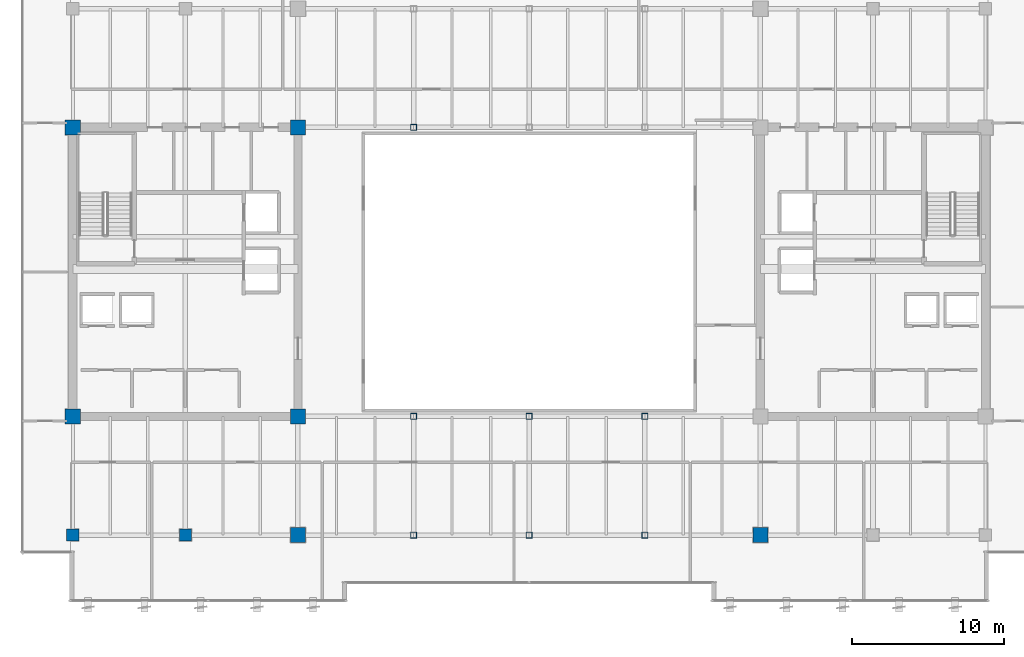
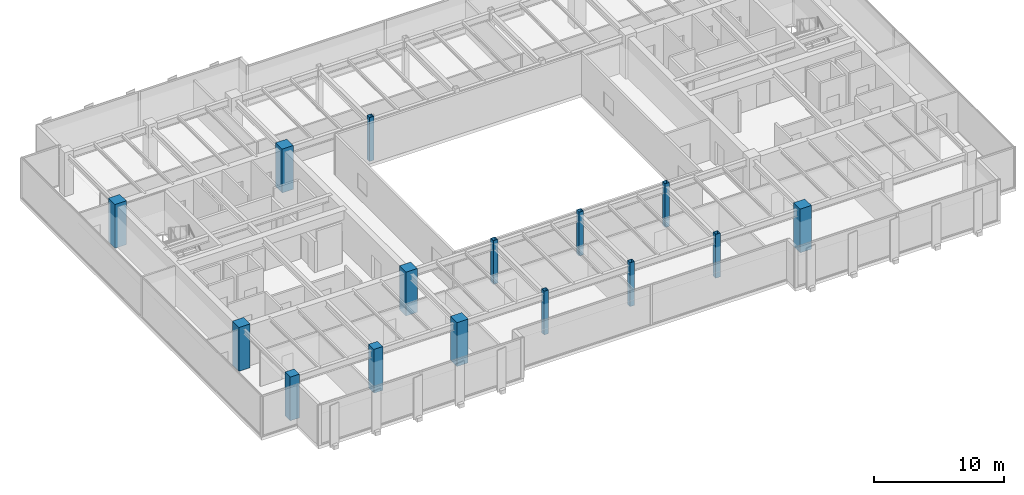
# One storey, part 1 of 36: 15 columns.
"""IFC4 building model written with IfcOpenShell, lengths in metres."""

import ifcopenshell
import ifcopenshell.guid

model = None  # the IFC model being written
_history = None  # IfcOwnerHistory: only IFC2X3 demands one
_inside = {}  # id of a spatial element -> (the spatial element, [elements in it])
_under = {}  # id of a project, library or spatial element -> (it, [spatial elements below it])
_declared = {}  # id of a project -> (the project, [libraries it declares])
_typed = {}  # id of a type object -> (the type object, [elements of that type])
_made_of = {}  # id of a material, layer set ... -> (it, [elements and type objects made of it])


def new_model(schema):
    """Start an empty IFC model of exactly this schema.

    Asked for "IFC4X3", IfcOpenShell would pick the latest addendum, in which some entities
    have other attributes; the version numbers below select the first issue.
    IFC2X3 requires an IfcOwnerHistory on every rooted entity: one is made here for all.
    """
    global model, _history
    if schema == "IFC4X3":
        model = ifcopenshell.file(schema_version=(4, 3, 0, 0))
    else:
        model = ifcopenshell.file(schema=schema)
    _inside.clear()
    _under.clear()
    _declared.clear()
    _typed.clear()
    _made_of.clear()
    _history = None
    if model.schema == "IFC2X3":
        org = make("IfcOrganization", Name="unknown")
        user = make(
            "IfcPersonAndOrganization",
            ThePerson=make("IfcPerson", FamilyName="unknown"),
            TheOrganization=org,
        )
        app = make(
            "IfcApplication",
            ApplicationDeveloper=org,
            Version="unknown",
            ApplicationFullName="unknown",
            ApplicationIdentifier="unknown",
        )
        _history = make(
            "IfcOwnerHistory",
            OwningUser=user,
            OwningApplication=app,
            ChangeAction="ADDED",
            CreationDate=0,
        )
    return model


def make(cls, **values):
    """One entity of the class cls with the attributes given. An attribute that is None is left unset."""
    return model.create_entity(
        cls, **{name: value for name, value in values.items() if value is not None}
    )


def rooted(cls, **values):
    """An entity with a GlobalId (a new one), such as an element, a storey or a relation."""
    return make(cls, GlobalId=ifcopenshell.guid.new(), OwnerHistory=_history, **values)


def si_unit(unit_type, name, prefix=None):
    """IfcSIUnit, for example si_unit("LENGTHUNIT", "METRE", prefix="MILLI")."""
    return make("IfcSIUnit", UnitType=unit_type, Prefix=prefix, Name=name)


def assignment(units):
    """IfcUnitAssignment: the units of a project."""
    return None if units is None else make("IfcUnitAssignment", Units=units)


def point(xyz):
    """IfcCartesianPoint."""
    return None if xyz is None else make("IfcCartesianPoint", Coordinates=xyz)


def direction(xyz):
    """IfcDirection."""
    return None if xyz is None else make("IfcDirection", DirectionRatios=xyz)


def frame(location, z_axis=None, x_axis=None):
    """IfcAxis2Placement3D, a coordinate frame: its origin and axes. An axis left out is left unset."""
    return make(
        "IfcAxis2Placement3D",
        Location=point(location),
        Axis=direction(z_axis),
        RefDirection=direction(x_axis),
    )


def frame_2d(location, x_axis=None):
    """IfcAxis2Placement2D, a coordinate frame in the plane: its origin and x axis."""
    return make(
        "IfcAxis2Placement2D", Location=point(location), RefDirection=direction(x_axis)
    )


def origin():
    """The frame at (0, 0, 0) with its axes left unset."""
    return frame((0.0, 0.0, 0.0))


def origin_2d():
    """The frame at (0, 0) in the plane with its x axis left unset."""
    return frame_2d((0.0, 0.0))


def place(relative_to, where):
    """IfcLocalPlacement: puts the frame where relative to a parent placement (None: the world)."""
    return make(
        "IfcLocalPlacement", PlacementRelTo=relative_to, RelativePlacement=where
    )


def context(
    kind, dimensions, precision=None, world=None, true_north=None, identifier=None
):
    """IfcGeometricRepresentationContext, for example the 3D "Model" context."""
    return make(
        "IfcGeometricRepresentationContext",
        ContextIdentifier=identifier,
        ContextType=kind,
        CoordinateSpaceDimension=dimensions,
        Precision=precision,
        WorldCoordinateSystem=world,
        TrueNorth=true_north,
    )


def subcontext(parent, identifier, kind, view, scale=None):
    """IfcGeometricRepresentationSubContext, for example "Body" below "Model"."""
    return make(
        "IfcGeometricRepresentationSubContext",
        ContextIdentifier=identifier,
        ContextType=kind,
        ParentContext=parent,
        TargetScale=scale,
        TargetView=view,
    )


def project(units=None, contexts=None):
    """IfcProject with its units and contexts."""
    return rooted(
        "IfcProject",
        Name="project",
        RepresentationContexts=contexts,
        UnitsInContext=assignment(units),
    )


def spatial(cls, under=None, at=None, **own):
    """A site, building, storey or space (cls), placed at a placement, below another one or the project."""
    s = rooted(cls, ObjectPlacement=at, **own)
    if under is not None:
        _under.setdefault(under.id(), (under, []))[1].append(s)
    return s


def profile(cls, at=None, kind="AREA", **sizes):
    """A parametric profile (cls). Its sizes go by their IFC names, for example OverallWidth=200.0."""
    return make(cls, ProfileType=kind, Position=at, **sizes)


def rectangle(**sizes):
    """IfcRectangleProfileDef."""
    return profile("IfcRectangleProfileDef", **sizes)


def hollow_rectangle(**sizes):
    """IfcRectangleHollowProfileDef."""
    return profile("IfcRectangleHollowProfileDef", **sizes)


def extrude(swept, where, along, depth):
    """IfcExtrudedAreaSolid: the profile swept, set in the frame where, extruded along a direction by depth."""
    return make(
        "IfcExtrudedAreaSolid",
        SweptArea=swept,
        Position=where,
        ExtrudedDirection=direction(along),
        Depth=depth,
    )


def shape(context_of_items, identifier, shape_type, items):
    """IfcShapeRepresentation: the items that make up one representation, for example the "Body"."""
    return make(
        "IfcShapeRepresentation",
        ContextOfItems=context_of_items,
        RepresentationIdentifier=identifier,
        RepresentationType=shape_type,
        Items=items,
    )


def source(mapping_origin, context_of_items, identifier, shape_type, items):
    """IfcRepresentationMap: a shape defined once, which mapped items show again and again."""
    return make(
        "IfcRepresentationMap",
        MappingOrigin=mapping_origin,
        MappedRepresentation=shape(context_of_items, identifier, shape_type, items),
    )


def transform(
    local_origin,
    x_axis=None,
    y_axis=None,
    z_axis=None,
    scale=None,
    scale2=None,
    scale3=None,
    uniform=True,
):
    """IfcCartesianTransformationOperator3D, or its non-uniform kind. x_axis, y_axis, z_axis: its Axis1, 2, 3."""
    if uniform:
        return make(
            "IfcCartesianTransformationOperator3D",
            Axis1=direction(x_axis),
            Axis2=direction(y_axis),
            LocalOrigin=point(local_origin),
            Scale=scale,
            Axis3=direction(z_axis),
        )
    return make(
        "IfcCartesianTransformationOperator3DnonUniform",
        Axis1=direction(x_axis),
        Axis2=direction(y_axis),
        LocalOrigin=point(local_origin),
        Scale=scale,
        Axis3=direction(z_axis),
        Scale2=scale2,
        Scale3=scale3,
    )


def mapped(mapping_source, mapping_target):
    """IfcMappedItem: shows the shape of a source again, moved by a transform."""
    return make(
        "IfcMappedItem", MappingSource=mapping_source, MappingTarget=mapping_target
    )


def material(Name=None, Category=None):
    """IfcMaterial."""
    return make("IfcMaterial", Name=Name, Category=Category)


def material_profile(
    of_material, cross_section, Name=None, Category=None, Priority=None
):
    """IfcMaterialProfile: a cross section and its material."""
    return make(
        "IfcMaterialProfile",
        Name=Name,
        Material=of_material,
        Profile=cross_section,
        Priority=Priority,
        Category=Category,
    )


def profile_set(profiles, Name=None, composite=None):
    """IfcMaterialProfileSet."""
    return make(
        "IfcMaterialProfileSet",
        Name=Name,
        MaterialProfiles=profiles,
        CompositeProfile=composite,
    )


def made_of(thing, what):
    """Note that an element or type object is made of a material, layer set ...; save() writes the relation."""
    if what is not None:
        _made_of.setdefault(what.id(), (what, []))[1].append(thing)
    return thing


def type_object(cls, material=None, **own):
    """A type object (cls), such as IfcWallType, which elements share."""
    return made_of(rooted(cls, **own), material)


def type_shapes(of_type, sources):
    """Give a type object the sources (RepresentationMaps) that its elements show as mapped items."""
    of_type.RepresentationMaps = sources


def element(
    cls,
    number,
    at=None,
    inside=None,
    cuts=None,
    type_object=None,
    material=None,
    context=None,
    identifier="Body",
    shape_type=None,
    held_by="IfcProductDefinitionShape",
    body=None,
    shapes=None,
    **own,
):
    """One element of the class cls, such as IfcWall. Its Tag is "e" and its number.

    at: its placement. inside: the storey or other place that contains it. cuts: it is an
    opening in that element (IfcRelVoidsElement). A single representation is given by context,
    identifier, shape_type and body (its items); several are given by shapes. held_by: the class
    of the entity that holds the representations. save() writes the other relations.
    """
    e = rooted(cls, Tag="e%d" % number, ObjectPlacement=at, **own)
    if body is not None:
        shapes = [shape(context, identifier, shape_type, body)]
    if shapes is not None:
        e.Representation = make(held_by, Representations=shapes)
    if inside is not None:
        _inside.setdefault(inside.id(), (inside, []))[1].append(e)
    if cuts is not None:
        rooted(
            "IfcRelVoidsElement", RelatingBuildingElement=cuts, RelatedOpeningElement=e
        )
    if type_object is not None:
        _typed.setdefault(type_object.id(), (type_object, []))[1].append(e)
    return made_of(e, material)


def aggregate(whole, parts):
    """IfcRelAggregates: a whole, such as a stair, and the parts it consists of."""
    return rooted("IfcRelAggregates", RelatingObject=whole, RelatedObjects=parts)


def save(model, path):
    """Write the relations noted so far, then the file.

    IfcRelAggregates (storeys below a building ...), IfcRelContainedInSpatialStructure (elements
    in a storey), IfcRelDefinesByType, IfcRelAssociatesMaterial and IfcRelDeclares: one each for
    every whole, place, type object, material and project.
    """
    for whole, parts in _under.values():
        aggregate(whole, parts)
    for where, things in _inside.values():
        rooted(
            "IfcRelContainedInSpatialStructure",
            RelatedElements=things,
            RelatingStructure=where,
        )
    for kind, things in _typed.values():
        rooted("IfcRelDefinesByType", RelatedObjects=things, RelatingType=kind)
    for what, things in _made_of.values():
        rooted("IfcRelAssociatesMaterial", RelatedObjects=things, RelatingMaterial=what)
    for by, libraries in _declared.values():
        rooted("IfcRelDeclares", RelatingContext=by, RelatedDefinitions=libraries)
    model.write(path)


model = new_model("IFC4")

# Units and contexts
model_context = context("Model", 3, precision=1e-05, world=origin(), true_north=direction((0.0, 1.0)))
body_context = subcontext(model_context, "Body", "Model", "MODEL_VIEW")
ifc_project = project(units=[si_unit("LENGTHUNIT", "METRE"), si_unit("AREAUNIT", "SQUARE_METRE"), si_unit("VOLUMEUNIT", "CUBIC_METRE"), si_unit("PLANEANGLEUNIT", "RADIAN"), si_unit("MASSUNIT", "GRAM", prefix="KILO")], contexts=[model_context])

# Site, building, storey
site_placement = place(None, origin())
site = spatial("IfcSite", under=ifc_project, at=site_placement, CompositionType="ELEMENT")
building_placement = place(site_placement, origin())
building = spatial("IfcBuilding", under=site, at=building_placement, Name="Haelvirn Gate Laboratories", CompositionType="ELEMENT")
storey_placement = place(building_placement, frame((0.0, 0.0, 242.39990234375)))
storey = spatial("IfcBuildingStorey", under=building, at=storey_placement, Name="L58", CompositionType="ELEMENT", Elevation=242.39990234375)

# Columns
ifc_material_1 = material(Name="Concrete C60/75", Category="concrete")
ifc_material_profile_1 = material_profile(ifc_material_1, rectangle(XDim=1.0, YDim=1.0, at=origin_2d()), Name="RC-1000x1000")
ifc_profile_set_1 = profile_set([ifc_material_profile_1], Name="Concrete C60/75")
column_type_1 = type_object("IfcColumnType", Name="COL-RC-1000", PredefinedType="COLUMN", material=ifc_profile_set_1)
shared_shape_1 = source(origin(), body_context, "Body", "SweptSolid", [
    extrude(rectangle(XDim=1.0, YDim=1.0, at=origin_2d()), origin(), (0.0, 0.0, 1.0), 4.10009765625),
])
type_shapes(column_type_1, [shared_shape_1])
for number, where, z_axis, x_axis, name in (
    (1, (22.199951171875, 7.0, 0.0), (0.0, 0.0, 1.0), (1.0, 0.0, 0.0), "L58 Column 4B"),
    (2, (7.39990234375, 14.800048828125, 0.0), (0.0, 0.0, 1.0), (1.0, 0.0, 0.0), "L58 Column 2C"),
    (3, (22.199951171875, 14.800048828125, 0.0), (0.0, 0.0, 1.0), (1.0, 0.0, 0.0), "L58 Column 4C"),
    (4, (7.39990234375, 33.800048828125, 0.0), (0.0, 0.0, 1.0), (1.0, 0.0, 0.0), "L58 Column 2F"),
    (5, (22.199951171875, 33.800048828125, 0.0), (0.0, 0.0, 1.0), (1.0, 0.0, 0.0), "L58 Column 4F"),
    (6, (52.60009765625, 7.0, 0.0), (0.0, 0.0, 1.0), (1.0, 0.0, 0.0), "L58 Column 8B"),
):
    element("IfcColumn", number, at=place(storey_placement, frame(where, z_axis=z_axis, x_axis=x_axis)), inside=storey, type_object=column_type_1, Name=name, PredefinedType="COLUMN", context=body_context, shape_type="MappedRepresentation", body=[
        mapped(shared_shape_1, transform((0.0, 0.0, 0.0), scale=1.0)),
    ])
ifc_material_2 = material(Name="Concrete C50/60", Category="concrete")
ifc_material_profile_2 = material_profile(ifc_material_2, rectangle(XDim=0.800048828125, YDim=0.800048828125, at=origin_2d()), Name="RC-800x800")
ifc_profile_set_2 = profile_set([ifc_material_profile_2], Name="Concrete C50/60")
column_type_2 = type_object("IfcColumnType", Name="COL-RC-800", PredefinedType="COLUMN", material=ifc_profile_set_2)
shared_shape_2 = source(origin(), body_context, "Body", "SweptSolid", [
    extrude(rectangle(XDim=0.800048828125, YDim=0.800048828125, at=origin_2d()), origin(), (0.0, 0.0, 1.0), 4.10009765625),
])
type_shapes(column_type_2, [shared_shape_2])
for number, where, z_axis, x_axis, name in (
    (7, (14.800048828125, 7.0, 0.0), (0.0, 0.0, 1.0), (1.0, 0.0, 0.0), "L58 Column 3B"),
    (8, (7.39990234375, 7.0, 0.0), (0.0, 0.0, 1.0), (1.0, 0.0, 0.0), "L58 Column 2B"),
):
    element("IfcColumn", number, at=place(storey_placement, frame(where, z_axis=z_axis, x_axis=x_axis)), inside=storey, type_object=column_type_2, Name=name, PredefinedType="COLUMN", context=body_context, shape_type="MappedRepresentation", body=[
        mapped(shared_shape_2, transform((0.0, 0.0, 0.0), scale=1.0)),
    ])
ifc_material_3 = material(Name="Steel SM355", Category="steel")
ifc_material_profile_3 = material_profile(ifc_material_3, hollow_rectangle(XDim=0.39990234375, YDim=0.39990234375, WallThickness=0.01904296875, at=origin_2d()), Name="BOX-400x400x19")
ifc_profile_set_3 = profile_set([ifc_material_profile_3], Name="Steel SM355")
column_type_3 = type_object("IfcColumnType", Name="COL-BOX-400", PredefinedType="COLUMN", material=ifc_profile_set_3)
shared_shape_3 = source(origin(), body_context, "Body", "SweptSolid", [
    extrude(hollow_rectangle(XDim=0.39990234375, YDim=0.39990234375, WallThickness=0.01904296875, at=origin_2d()), origin(), (0.0, 0.0, 1.0), 4.10009765625),
])
type_shapes(column_type_3, [shared_shape_3])
for number, where, z_axis, x_axis, name in (
    (9, (29.800048828125, 7.0, 0.0), (0.0, 0.0, 1.0), (1.0, 0.0, 0.0), "L58 Column 5B"),
    (10, (29.800048828125, 14.800048828125, 0.0), (0.0, 0.0, 1.0), (1.0, 0.0, 0.0), "L58 Column 5C"),
    (11, (29.800048828125, 33.800048828125, 0.0), (0.0, 0.0, 1.0), (1.0, 0.0, 0.0), "L58 Column 5F"),
    (12, (37.39990234375, 7.0, 0.0), (0.0, 0.0, 1.0), (1.0, 0.0, 0.0), "L58 Column 6B"),
    (13, (37.39990234375, 14.800048828125, 0.0), (0.0, 0.0, 1.0), (1.0, 0.0, 0.0), "L58 Column 6C"),
    (14, (45.0, 7.0, 0.0), (0.0, 0.0, 1.0), (1.0, 0.0, 0.0), "L58 Column 7B"),
    (15, (45.0, 14.800048828125, 0.0), (0.0, 0.0, 1.0), (1.0, 0.0, 0.0), "L58 Column 7C"),
):
    element("IfcColumn", number, at=place(storey_placement, frame(where, z_axis=z_axis, x_axis=x_axis)), inside=storey, type_object=column_type_3, Name=name, PredefinedType="COLUMN", context=body_context, shape_type="MappedRepresentation", body=[
        mapped(shared_shape_3, transform((0.0, 0.0, 0.0), scale=1.0)),
    ])

save(model, "model.ifc")
